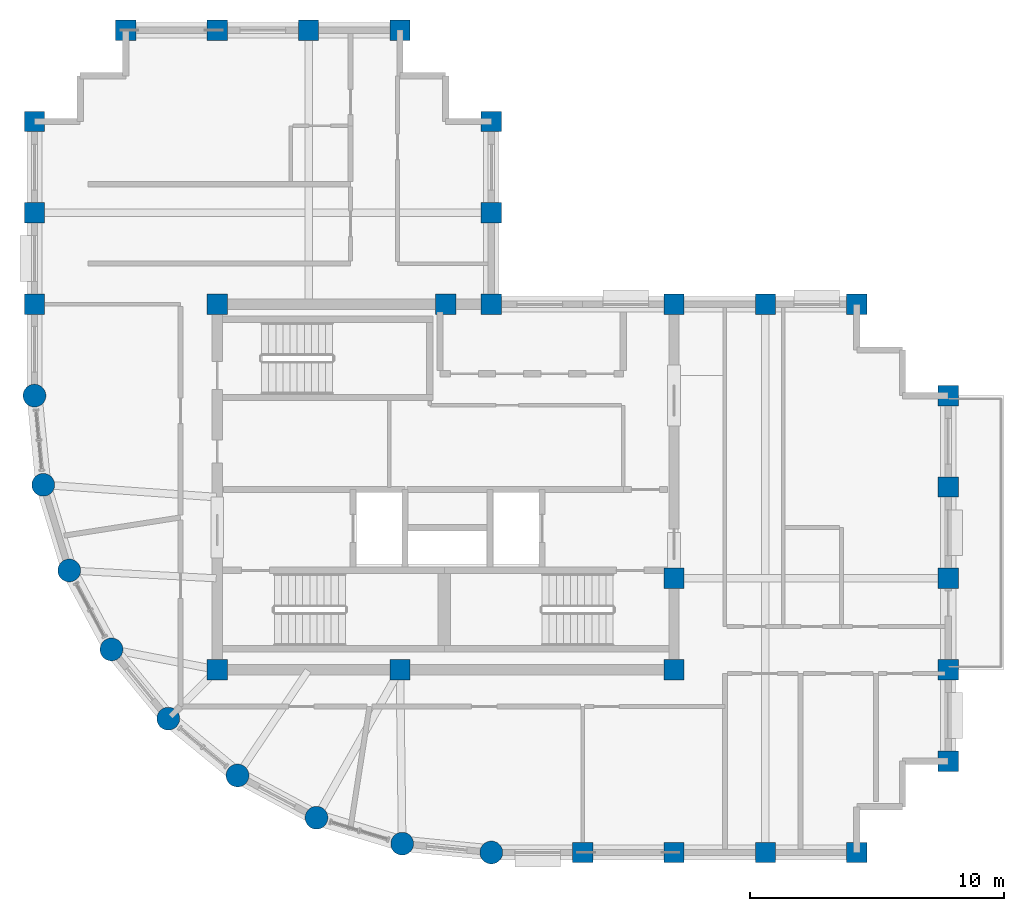
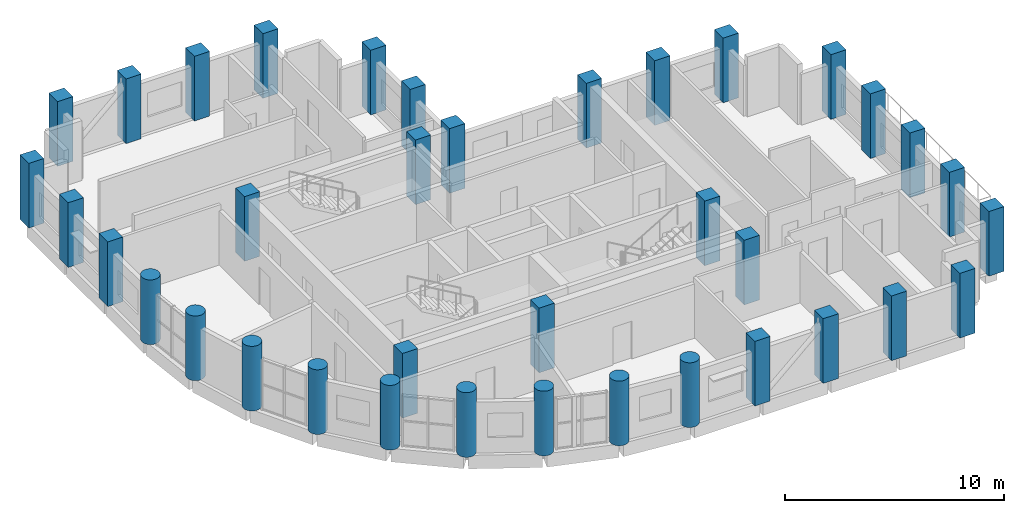
# One storey, part 1 of 12: 37 columns.
"""IFC4 building model written with IfcOpenShell, lengths in metres."""

from ifc_helpers import new_model, si_unit, direction, frame, origin, origin_2d, place, context, subcontext, project, spatial, rectangle, circle, extrude, material, material_profile, profile_set, type_object, element, save


model = new_model("IFC4")

# Units and contexts
model_context = context("Model", 3, precision=1e-05, world=origin(), true_north=direction((0.0, 1.0)))
body_context = subcontext(model_context, "Body", "Model", "MODEL_VIEW")
ifc_project = project(units=[si_unit("LENGTHUNIT", "METRE"), si_unit("AREAUNIT", "SQUARE_METRE"), si_unit("VOLUMEUNIT", "CUBIC_METRE"), si_unit("PLANEANGLEUNIT", "RADIAN"), si_unit("MASSUNIT", "GRAM", prefix="KILO")], contexts=[model_context])

# Site, building, storey
site_placement = place(None, origin())
site = spatial("IfcSite", under=ifc_project, at=site_placement, CompositionType="ELEMENT")
building_placement = place(site_placement, origin())
building = spatial("IfcBuilding", under=site, at=building_placement, Name="Solnavia Interchange Tower", CompositionType="ELEMENT")
storey_placement = place(building_placement, frame((0.0, 0.0, 228.199951171875)))
storey = spatial("IfcBuildingStorey", under=building, at=storey_placement, Name="L57", CompositionType="ELEMENT", Elevation=228.199951171875)

# Columns
ifc_material = material(Name="Concrete C50/60", Category="concrete")
ifc_material_profile_1 = material_profile(ifc_material, rectangle(XDim=0.800048828125, YDim=0.800048828125, at=origin_2d()), Name="RC 800x800")
ifc_profile_set_1 = profile_set([ifc_material_profile_1], Name="Concrete C50/60")
column_type_1 = type_object("IfcColumnType", Name="Col-RC-800x800", PredefinedType="COLUMN", material=ifc_profile_set_1)
for number, where, z_axis, x_axis, name in (
    (1, (7.199951171875, 25.199951171875, 0.0), (0.0, 0.0, 1.0), (0.0, 1.0, 0.0), "COL-L57-02 Tower perim y column"),
    (2, (7.199951171875, 28.800048828125, 0.0), (0.0, 0.0, 1.0), (0.0, 1.0, 0.0), "COL-L57-03 Tower perim y column"),
    (3, (7.199951171875, 32.39990234375, 0.0), (0.0, 0.0, 1.0), (0.0, 1.0, 0.0), "COL-L57-04 Tower corner column"),
    (4, (10.800048828125, 36.0, 0.0), (0.0, 0.0, 1.0), (1.0, 0.0, 0.0), "COL-L57-08 Tower corner column"),
    (5, (14.39990234375, 10.800048828125, 0.0), (0.0, 0.0, 1.0), (1.0, 0.0, 0.0), "COL-L57-10 Tower interior column"),
    (6, (14.39990234375, 25.199951171875, 0.0), (0.0, 0.0, 1.0), (1.0, 0.0, 0.0), "COL-L57-11 Tower interior column"),
    (7, (14.39990234375, 36.0, 0.0), (0.0, 0.0, 1.0), (1.0, 0.0, 0.0), "COL-L57-12 Tower perim x column"),
    (8, (18.0, 36.0, 0.0), (0.0, 0.0, 1.0), (1.0, 0.0, 0.0), "COL-L57-14 Tower perim x column"),
    (9, (21.60009765625, 10.800048828125, 0.0), (0.0, 0.0, 1.0), (1.0, 0.0, 0.0), "COL-L57-16 Tower interior column"),
    (10, (21.60009765625, 36.0, 0.0), (0.0, 0.0, 1.0), (1.0, 0.0, 0.0), "COL-L57-17 Tower corner column"),
    (11, (23.39990234375, 25.199951171875, 0.0), (0.0, 0.0, 1.0), (1.0, 0.0, 0.0), "COL-L57-19 Tower interior column"),
    (12, (25.199951171875, 25.199951171875, 0.0), (0.0, 0.0, 1.0), (1.0, 0.0, 0.0), "COL-L57-21 Tower interior column"),
    (13, (25.199951171875, 28.800048828125, 0.0), (0.0, 0.0, 1.0), (0.0, 1.0, 0.0), "COL-L57-22 Tower perim y column"),
    (14, (25.199951171875, 32.39990234375, 0.0), (0.0, 0.0, 1.0), (0.0, 1.0, 0.0), "COL-L57-23 Tower corner column"),
    (15, (28.800048828125, 3.60009765625, 0.0), (0.0, 0.0, 1.0), (1.0, 0.0, 0.0), "COL-L57-24 Tower perim x column"),
    (16, (32.39990234375, 3.60009765625, 0.0), (0.0, 0.0, 1.0), (1.0, 0.0, 0.0), "COL-L57-25 Tower perim x column"),
    (17, (32.39990234375, 10.800048828125, 0.0), (0.0, 0.0, 1.0), (1.0, 0.0, 0.0), "COL-L57-26 Tower interior column"),
    (18, (32.39990234375, 14.39990234375, 0.0), (0.0, 0.0, 1.0), (1.0, 0.0, 0.0), "COL-L57-27 Tower interior column"),
    (19, (32.39990234375, 25.199951171875, 0.0), (0.0, 0.0, 1.0), (1.0, 0.0, 0.0), "COL-L57-28 Tower interior column"),
    (20, (36.0, 3.60009765625, 0.0), (0.0, 0.0, 1.0), (1.0, 0.0, 0.0), "COL-L57-29 Tower perim x column"),
    (21, (36.0, 25.199951171875, 0.0), (0.0, 0.0, 1.0), (1.0, 0.0, 0.0), "COL-L57-30 Tower perim x column"),
    (22, (39.60009765625, 3.60009765625, 0.0), (0.0, 0.0, 1.0), (1.0, 0.0, 0.0), "COL-L57-31 Tower corner column"),
    (23, (39.60009765625, 25.199951171875, 0.0), (0.0, 0.0, 1.0), (1.0, 0.0, 0.0), "COL-L57-32 Tower corner column"),
    (24, (43.199951171875, 7.199951171875, 0.0), (0.0, 0.0, 1.0), (1.0, 0.0, 0.0), "COL-L57-33 Tower corner column"),
    (25, (43.199951171875, 10.800048828125, 0.0), (0.0, 0.0, 1.0), (0.0, 1.0, 0.0), "COL-L57-34 Tower perim y column"),
    (26, (43.199951171875, 14.39990234375, 0.0), (0.0, 0.0, 1.0), (0.0, 1.0, 0.0), "COL-L57-35 Tower perim y column"),
    (27, (43.199951171875, 18.0, 0.0), (0.0, 0.0, 1.0), (0.0, 1.0, 0.0), "COL-L57-36 Tower perim y column"),
    (28, (43.199951171875, 21.60009765625, 0.0), (0.0, 0.0, 1.0), (0.0, 1.0, 0.0), "COL-L57-37 Tower corner column"),
):
    element("IfcColumn", number, at=place(storey_placement, frame(where, z_axis=z_axis, x_axis=x_axis)), inside=storey, type_object=column_type_1, Name=name, PredefinedType="COLUMN", context=body_context, shape_type="SweptSolid", body=[
        extrude(rectangle(XDim=0.800048828125, YDim=0.800048828125, at=origin_2d()), origin(), (0.0, 0.0, 1.0), 3.60009765625),
    ])
ifc_material_profile_2 = material_profile(ifc_material, circle(Radius=0.449951171875, at=origin_2d()), Name="RC D900")
ifc_profile_set_2 = profile_set([ifc_material_profile_2], Name="Concrete C50/60")
column_type_2 = type_object("IfcColumnType", Name="Col-RC-D900", PredefinedType="COLUMN", material=ifc_profile_set_2)
for number, where, z_axis, x_axis, name in (
    (29, (7.199951171875, 21.60009765625, 0.0), (0.0, 0.0, 1.0), (1.0, 0.0, 0.0), "COL-L57-01 Tower drum column"),
    (30, (7.5458984375, 18.087890625, 0.0), (0.0, 0.0, 1.0), (1.0, 0.0, 0.0), "COL-L57-05 Tower drum column"),
    (31, (8.570068359375, 14.7119140625, 0.0), (0.0, 0.0, 1.0), (1.0, 0.0, 0.0), "COL-L57-06 Tower drum column"),
    (32, (10.23388671875, 11.60009765625, 0.0), (0.0, 0.0, 1.0), (1.0, 0.0, 0.0), "COL-L57-07 Tower drum column"),
    (33, (12.471923828125, 8.8720703125, 0.0), (0.0, 0.0, 1.0), (1.0, 0.0, 0.0), "COL-L57-09 Tower drum column"),
    (34, (15.199951171875, 6.634033203125, 0.0), (0.0, 0.0, 1.0), (1.0, 0.0, 0.0), "COL-L57-13 Tower drum column"),
    (35, (18.31201171875, 4.969970703125, 0.0), (0.0, 0.0, 1.0), (1.0, 0.0, 0.0), "COL-L57-15 Tower drum column"),
    (36, (21.68798828125, 3.946044921875, 0.0), (0.0, 0.0, 1.0), (1.0, 0.0, 0.0), "COL-L57-18 Tower drum column"),
    (37, (25.199951171875, 3.60009765625, 0.0), (0.0, 0.0, 1.0), (1.0, 0.0, 0.0), "COL-L57-20 Tower drum column"),
):
    element("IfcColumn", number, at=place(storey_placement, frame(where, z_axis=z_axis, x_axis=x_axis)), inside=storey, type_object=column_type_2, Name=name, PredefinedType="COLUMN", context=body_context, shape_type="SweptSolid", body=[
        extrude(circle(Radius=0.449951171875, at=origin_2d()), origin(), (0.0, 0.0, 1.0), 3.60009765625),
    ])

save(model, "model.ifc")
